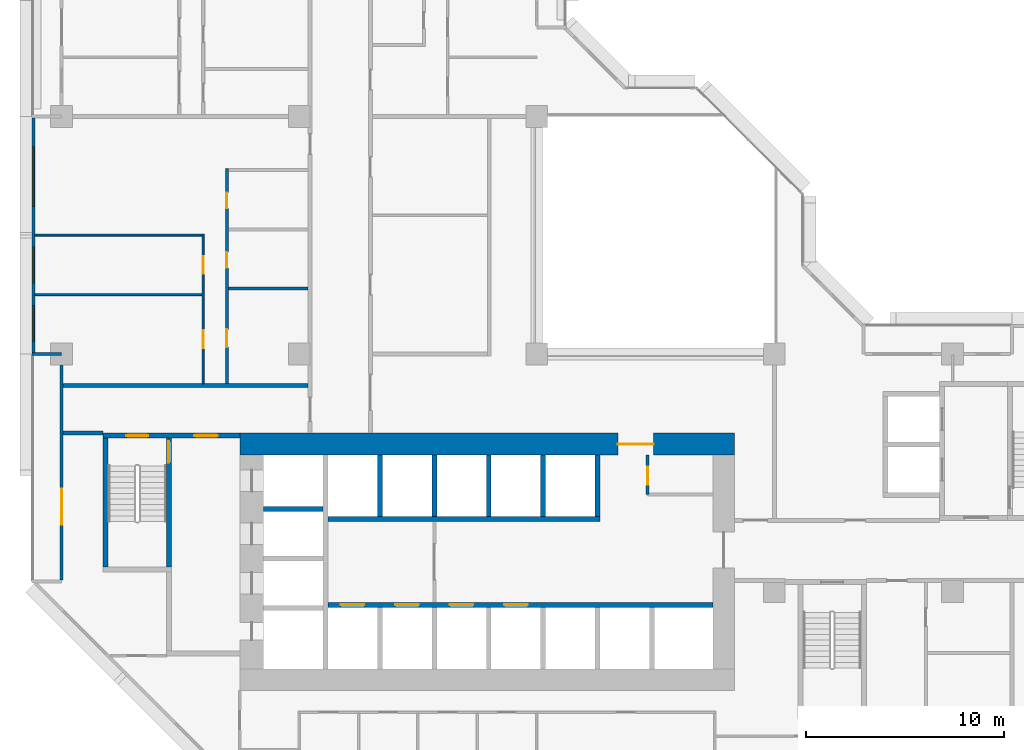
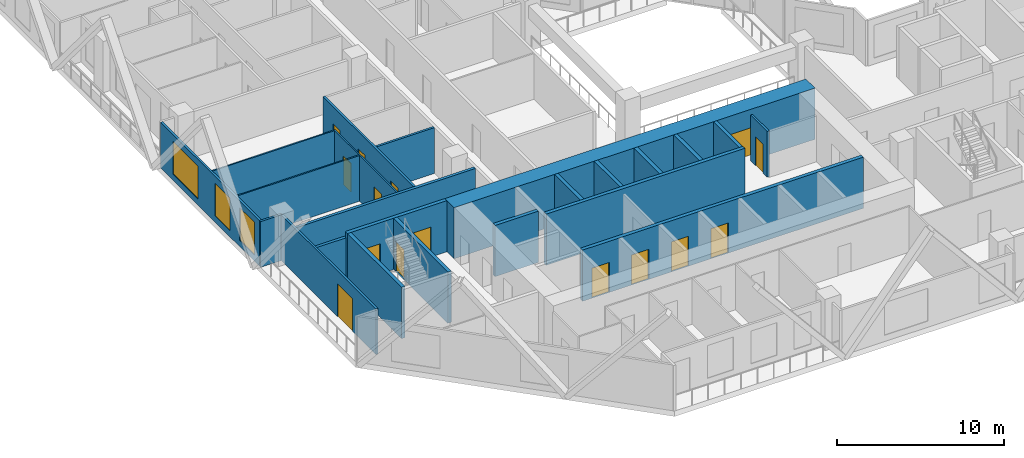
# One storey, part 5 of 15: 23 walls, 15 doors, 3 windows, 18 openings.
"""IFC4 building model written with IfcOpenShell, lengths in metres."""

from ifc_helpers import new_model, si_unit, direction, frame, frame_2d, origin, place, context, subcontext, project, spatial, rectangle, extrude, material, layer, layer_set, type_object, element, fill, save


model = new_model("IFC4")

# Units and contexts
model_context = context("Model", 3, precision=1e-05, world=origin(), true_north=direction((0.0, 1.0)))
body_context = subcontext(model_context, "Body", "Model", "MODEL_VIEW")
ifc_project = project(units=[si_unit("LENGTHUNIT", "METRE"), si_unit("AREAUNIT", "SQUARE_METRE"), si_unit("VOLUMEUNIT", "CUBIC_METRE"), si_unit("PLANEANGLEUNIT", "RADIAN"), si_unit("MASSUNIT", "GRAM", prefix="KILO")], contexts=[model_context])

# Site, building, storey
site_placement = place(None, origin())
site = spatial("IfcSite", under=ifc_project, at=site_placement, CompositionType="ELEMENT")
building_placement = place(site_placement, origin())
building = spatial("IfcBuilding", under=site, at=building_placement, Name="Chenar Terraces", CompositionType="ELEMENT")
storey_placement = place(building_placement, frame((0.0, 0.0, 56.39990234375)))
storey = spatial("IfcBuildingStorey", under=building, at=storey_placement, Name="L11", CompositionType="ELEMENT", Elevation=56.39990234375)

# Wall, opening, door
ifc_material_1 = material(Name="Gypsum board on steel studs", Category="steel")
ifc_layer_1 = layer(ifc_material_1, 0.14990234375)
ifc_layer_set_1 = layer_set([ifc_layer_1], Name="Gypsum board on steel studs")
wall_type_1 = type_object("IfcWallType", Name="Core partition 150 gypsum board", PredefinedType="PARTITIONING", material=ifc_layer_set_1)
wall_1_placement = place(storey_placement, frame((29.60009765625, 16.89990234375, 0.0), z_axis=(0.0, 0.0, 1.0), x_axis=(0.0, 1.0, 0.0)))
wall_1 = element("IfcWall", 1, at=wall_1_placement, inside=storey, type_object=wall_type_1, Name="Core partition CP1 vestibule room west wall", PredefinedType="PARTITIONING", context=body_context, shape_type="SweptSolid", body=[
    extrude(rectangle(XDim=2.0, YDim=0.14990234375, at=frame_2d((1.0, 0.0))), origin(), (0.0, 0.0, 1.0), 3.35009765625),
])
opening_1_placement = place(wall_1_placement, frame((0.5, 0.0, 0.0)))
opening_1 = element("IfcOpeningElement", 2, at=opening_1_placement, cuts=wall_1, Name="Opening DL11-C13", PredefinedType="OPENING", context=body_context, shape_type="SweptSolid", body=[
    extrude(rectangle(XDim=0.89990234375, YDim=2.10009765625, at=frame_2d((0.449951171875, 1.050048828125))), frame((0.0, 0.0849609375, 0.0), z_axis=(0.0, -1.0, 0.0), x_axis=(1.0, 0.0, 0.0)), (0.0, 0.0, 1.0), 0.169921875),
])
ifc_material_2 = material(Name="Steel-framed fire-resisting door leaf", Category="steel")
door_type_1 = type_object("IfcDoorType", Name="Riser fire door FD60 900 x 2100", OperationType="SINGLE_SWING_LEFT", PredefinedType="DOOR", material=ifc_material_2)
door_1_placement = place(opening_1_placement, frame((0.89990234375, 0.0, 0.0), z_axis=(0.0, 0.0, 1.0), x_axis=(-1.0, 0.0, 0.0)))
door_1 = element("IfcDoor", 3, at=door_1_placement, inside=storey, type_object=door_type_1, Name="Core room door DL11-C13", OperationType="SINGLE_SWING_RIGHT", OverallHeight=2.10009765625, OverallWidth=0.89990234375, PredefinedType="DOOR", context=body_context, shape_type="SweptSolid", body=[
    extrude(rectangle(XDim=0.89990234375, YDim=2.10009765625, at=frame_2d((0.449951171875, 1.050048828125))), frame((0.0, 0.02490234375, 0.0), z_axis=(0.0, -1.0, 0.0), x_axis=(1.0, 0.0, 0.0)), (0.0, 0.0, 1.0), 0.050048828125),
])
fill(opening_1, door_1)

ifc_material_3 = material(Name="Concrete C70/85", Category="concrete")
ifc_layer_2 = layer(ifc_material_3, 1.10009765625)
ifc_layer_set_2 = layer_set([ifc_layer_2], Name="Concrete C70/85")
wall_type_2 = type_object("IfcWallType", Name="Core wall 1100 Concrete C70/85", PredefinedType="SHEAR", material=ifc_layer_set_2)
wall_2_placement = place(storey_placement, frame((9.0, 19.449951171875, 0.0), z_axis=(0.0, 0.0, 1.0), x_axis=(1.0, 0.0, 0.0)))
wall_2 = element("IfcWall", 4, at=wall_2_placement, inside=storey, type_object=wall_type_2, Name="Core wall N L11", PredefinedType="SHEAR", context=body_context, shape_type="SweptSolid", body=[
    extrude(rectangle(XDim=25.0, YDim=1.10009765625, at=frame_2d((12.5, 0.0))), origin(), (0.0, 0.0, 1.0), 3.75),
])
opening_2_placement = place(wall_2_placement, frame((19.10009765625, 0.0, 0.0)))
opening_2 = element("IfcOpeningElement", 5, at=opening_2_placement, cuts=wall_2, Name="Opening DL11-C2", PredefinedType="OPENING", context=body_context, shape_type="SweptSolid", body=[
    extrude(rectangle(XDim=1.800048828125, YDim=2.39990234375, at=frame_2d((0.89990234375, 1.199951171875))), frame((0.0, 0.56005859375, 0.0), z_axis=(0.0, -1.0, 0.0), x_axis=(1.0, 0.0, 0.0)), (0.0, 0.0, 1.0), 1.1201171875),
])
ifc_material_4 = material(Name="Steel-framed fire-resisting door leaf", Category="steel")
door_type_2 = type_object("IfcDoorType", Name="Core entrance double fire door FD60 1800 x 2400", OperationType="DOUBLE_DOOR_SINGLE_SWING", PredefinedType="DOOR", material=ifc_material_4)
door_2_placement = place(opening_2_placement, origin())
door_2 = element("IfcDoor", 6, at=door_2_placement, inside=storey, type_object=door_type_2, Name="Core door DL11-C2", OperationType="DOUBLE_DOOR_SINGLE_SWING", OverallHeight=2.39990234375, OverallWidth=1.800048828125, PredefinedType="DOOR", context=body_context, shape_type="SweptSolid", body=[
    extrude(rectangle(XDim=1.800048828125, YDim=2.39990234375, at=frame_2d((0.89990234375, 1.199951171875))), frame((0.0, 0.02490234375, 0.0), z_axis=(0.0, -1.0, 0.0), x_axis=(1.0, 0.0, 0.0)), (0.0, 0.0, 1.0), 0.050048828125),
])
fill(opening_2, door_2)

# Wall, openings, doors
ifc_material_5 = material(Name="Concrete C70/85", Category="concrete")
ifc_layer_3 = layer(ifc_material_5, 0.25)
ifc_layer_set_3 = layer_set([ifc_layer_3], Name="Concrete C70/85")
wall_type_3 = type_object("IfcWallType", Name="Core wall 250 Concrete C70/85", PredefinedType="SHEAR", material=ifc_layer_set_3)
wall_3_placement = place(storey_placement, frame((13.449951171875, 11.324951171875, 0.0), z_axis=(0.0, 0.0, 1.0), x_axis=(1.0, 0.0, 0.0)))
wall_3 = element("IfcWall", 7, at=wall_3_placement, inside=storey, type_object=wall_type_3, Name="Core wall SF L11", PredefinedType="SHEAR", context=body_context, shape_type="SweptSolid", body=[
    extrude(rectangle(XDim=19.449951171875, YDim=0.25, at=frame_2d((9.72509765625, 0.0))), origin(), (0.0, 0.0, 1.0), 3.75),
])
opening_3_placement = place(wall_3_placement, frame((0.64990234375, 0.0, 0.0)))
opening_3 = element("IfcOpeningElement", 8, at=opening_3_placement, cuts=wall_3, Name="Opening DL11-LD1", PredefinedType="OPENING", context=body_context, shape_type="SweptSolid", body=[
    extrude(rectangle(XDim=1.199951171875, YDim=2.199951171875, at=frame_2d((0.60009765625, 1.10009765625))), frame((0.0, 0.135009765625, 0.0), z_axis=(0.0, -1.0, 0.0), x_axis=(1.0, 0.0, 0.0)), (0.0, 0.0, 1.0), 0.27001953125),
])
opening_4_placement = place(wall_3_placement, frame((3.39990234375, 0.0, 0.0)))
opening_4 = element("IfcOpeningElement", 9, at=opening_4_placement, cuts=wall_3, Name="Opening DL11-LD2", PredefinedType="OPENING", context=body_context, shape_type="SweptSolid", body=[
    extrude(rectangle(XDim=1.199951171875, YDim=2.199951171875, at=frame_2d((0.60009765625, 1.10009765625))), frame((0.0, 0.135009765625, 0.0), z_axis=(0.0, -1.0, 0.0), x_axis=(1.0, 0.0, 0.0)), (0.0, 0.0, 1.0), 0.27001953125),
])
opening_5_placement = place(wall_3_placement, frame((6.14990234375, 0.0, 0.0)))
opening_5 = element("IfcOpeningElement", 10, at=opening_5_placement, cuts=wall_3, Name="Opening DL11-LD3", PredefinedType="OPENING", context=body_context, shape_type="SweptSolid", body=[
    extrude(rectangle(XDim=1.199951171875, YDim=2.199951171875, at=frame_2d((0.60009765625, 1.10009765625))), frame((0.0, 0.135009765625, 0.0), z_axis=(0.0, -1.0, 0.0), x_axis=(1.0, 0.0, 0.0)), (0.0, 0.0, 1.0), 0.27001953125),
])
opening_6_placement = place(wall_3_placement, frame((8.89990234375, 0.0, 0.0)))
opening_6 = element("IfcOpeningElement", 11, at=opening_6_placement, cuts=wall_3, Name="Opening DL11-LD4", PredefinedType="OPENING", context=body_context, shape_type="SweptSolid", body=[
    extrude(rectangle(XDim=1.199951171875, YDim=2.199951171875, at=frame_2d((0.60009765625, 1.10009765625))), frame((0.0, 0.135009765625, 0.0), z_axis=(0.0, -1.0, 0.0), x_axis=(1.0, 0.0, 0.0)), (0.0, 0.0, 1.0), 0.27001953125),
])
ifc_material_6 = material(Name="Stainless steel", Category="steel")
door_type_3 = type_object("IfcDoorType", Name="Lift landing door 1200 x 2200 sliding", OperationType="DOUBLE_DOOR_SLIDING", PredefinedType="DOOR", material=ifc_material_6)
door_3_placement = place(opening_3_placement, origin())
door_3 = element("IfcDoor", 12, at=door_3_placement, inside=storey, type_object=door_type_3, Name="Landing door L1", OperationType="DOUBLE_DOOR_SLIDING", OverallHeight=2.199951171875, OverallWidth=1.199951171875, PredefinedType="DOOR", context=body_context, shape_type="SweptSolid", body=[
    extrude(rectangle(XDim=1.199951171875, YDim=2.199951171875, at=frame_2d((0.60009765625, 1.10009765625))), frame((0.0, 0.02490234375, 0.0), z_axis=(0.0, -1.0, 0.0), x_axis=(1.0, 0.0, 0.0)), (0.0, 0.0, 1.0), 0.050048828125),
])
fill(opening_3, door_3)
door_4_placement = place(opening_4_placement, origin())
door_4 = element("IfcDoor", 13, at=door_4_placement, inside=storey, type_object=door_type_3, Name="Landing door L2", OperationType="DOUBLE_DOOR_SLIDING", OverallHeight=2.199951171875, OverallWidth=1.199951171875, PredefinedType="DOOR", context=body_context, shape_type="SweptSolid", body=[
    extrude(rectangle(XDim=1.199951171875, YDim=2.199951171875, at=frame_2d((0.60009765625, 1.10009765625))), frame((0.0, 0.02490234375, 0.0), z_axis=(0.0, -1.0, 0.0), x_axis=(1.0, 0.0, 0.0)), (0.0, 0.0, 1.0), 0.050048828125),
])
fill(opening_4, door_4)
door_5_placement = place(opening_5_placement, origin())
door_5 = element("IfcDoor", 14, at=door_5_placement, inside=storey, type_object=door_type_3, Name="Landing door L3", OperationType="DOUBLE_DOOR_SLIDING", OverallHeight=2.199951171875, OverallWidth=1.199951171875, PredefinedType="DOOR", context=body_context, shape_type="SweptSolid", body=[
    extrude(rectangle(XDim=1.199951171875, YDim=2.199951171875, at=frame_2d((0.60009765625, 1.10009765625))), frame((0.0, 0.02490234375, 0.0), z_axis=(0.0, -1.0, 0.0), x_axis=(1.0, 0.0, 0.0)), (0.0, 0.0, 1.0), 0.050048828125),
])
fill(opening_5, door_5)
door_6_placement = place(opening_6_placement, origin())
door_6 = element("IfcDoor", 15, at=door_6_placement, inside=storey, type_object=door_type_3, Name="Landing door L4", OperationType="DOUBLE_DOOR_SLIDING", OverallHeight=2.199951171875, OverallWidth=1.199951171875, PredefinedType="DOOR", context=body_context, shape_type="SweptSolid", body=[
    extrude(rectangle(XDim=1.199951171875, YDim=2.199951171875, at=frame_2d((0.60009765625, 1.10009765625))), frame((0.0, 0.02490234375, 0.0), z_axis=(0.0, -1.0, 0.0), x_axis=(1.0, 0.0, 0.0)), (0.0, 0.0, 1.0), 0.050048828125),
])
fill(opening_6, door_6)

# Walls
wall_4_placement = place(storey_placement, frame((13.449951171875, 15.675048828125, 0.0), z_axis=(0.0, 0.0, 1.0), x_axis=(1.0, 0.0, 0.0)))
element("IfcWall", 16, at=wall_4_placement, inside=storey, type_object=wall_type_3, Name="Core wall NF L11", PredefinedType="SHEAR", context=body_context, shape_type="SweptSolid", body=[
    extrude(rectangle(XDim=13.75, YDim=0.25, at=frame_2d((6.875, 0.0))), origin(), (0.0, 0.0, 1.0), 3.75),
])
wall_5_placement = place(storey_placement, frame((10.199951171875, 16.175048828125, 0.0), z_axis=(0.0, 0.0, 1.0), x_axis=(1.0, 0.0, 0.0)))
element("IfcWall", 17, at=wall_5_placement, inside=storey, type_object=wall_type_3, Name="Core wall HW2 L11", PredefinedType="SHEAR", context=body_context, shape_type="SweptSolid", body=[
    extrude(rectangle(XDim=3.0, YDim=0.25, at=frame_2d((1.5, 0.0))), origin(), (0.0, 0.0, 1.0), 3.75),
])
for number, where, z_axis, x_axis, name in (
    (18, (16.074951171875, 15.800048828125, 0.0), (0.0, 0.0, 1.0), (0.0, 1.0, 0.0), "Core wall NS0 L11"),
    (19, (18.824951171875, 15.800048828125, 0.0), (0.0, 0.0, 1.0), (0.0, 1.0, 0.0), "Core wall NS1 L11"),
    (20, (21.574951171875, 15.800048828125, 0.0), (0.0, 0.0, 1.0), (0.0, 1.0, 0.0), "Core wall NS2 L11"),
    (21, (24.324951171875, 15.800048828125, 0.0), (0.0, 0.0, 1.0), (0.0, 1.0, 0.0), "Core wall NS3 L11"),
    (22, (27.074951171875, 15.800048828125, 0.0), (0.0, 0.0, 1.0), (0.0, 1.0, 0.0), "Core wall NE L11"),
):
    element("IfcWall", number, at=place(storey_placement, frame(where, z_axis=z_axis, x_axis=x_axis)), inside=storey, type_object=wall_type_3, Name=name, PredefinedType="SHEAR", context=body_context, shape_type="SweptSolid", body=[
        extrude(rectangle(XDim=3.099853515625, YDim=0.25, at=frame_2d((1.5498046875, 0.0))), origin(), (0.0, 0.0, 1.0), 3.75),
    ])

# Wall, openings, doors
wall_6_placement = place(storey_placement, frame((2.10009765625, 19.875, 0.0), z_axis=(0.0, 0.0, 1.0), x_axis=(1.0, 0.0, 0.0)))
wall_6 = element("IfcWall", 23, at=wall_6_placement, inside=storey, type_object=wall_type_3, Name="Core wall A_N L11", PredefinedType="SHEAR", context=body_context, shape_type="SweptSolid", body=[
    extrude(rectangle(XDim=6.89990234375, YDim=0.25, at=frame_2d((3.449951171875, 0.0))), origin(), (0.0, 0.0, 1.0), 3.75),
])
opening_7_placement = place(wall_6_placement, frame((1.175048828125, 0.0, 0.0)))
opening_7 = element("IfcOpeningElement", 24, at=opening_7_placement, cuts=wall_6, Name="Opening DL11-C5", PredefinedType="OPENING", context=body_context, shape_type="SweptSolid", body=[
    extrude(rectangle(XDim=1.10009765625, YDim=2.199951171875, at=frame_2d((0.550048828125, 1.10009765625))), frame((0.0, 0.135009765625, 0.0), z_axis=(0.0, -1.0, 0.0), x_axis=(1.0, 0.0, 0.0)), (0.0, 0.0, 1.0), 0.27001953125),
])
opening_8_placement = place(wall_6_placement, frame((4.60009765625, 0.0, 0.0)))
opening_8 = element("IfcOpeningElement", 25, at=opening_8_placement, cuts=wall_6, Name="Opening DL11-C6", PredefinedType="OPENING", context=body_context, shape_type="SweptSolid", body=[
    extrude(rectangle(XDim=1.199951171875, YDim=2.199951171875, at=frame_2d((0.60009765625, 1.10009765625))), frame((0.0, 0.135009765625, 0.0), z_axis=(0.0, -1.0, 0.0), x_axis=(1.0, 0.0, 0.0)), (0.0, 0.0, 1.0), 0.27001953125),
])
ifc_material_7 = material(Name="Steel-framed fire-resisting door leaf", Category="steel")
door_type_4 = type_object("IfcDoorType", Name="Lobby fire door FD60 1200 x 2200", OperationType="SINGLE_SWING_LEFT", PredefinedType="DOOR", material=ifc_material_7)
door_7_placement = place(opening_8_placement, frame((1.199951171875, 0.0, 0.0), z_axis=(0.0, 0.0, 1.0), x_axis=(-1.0, 0.0, 0.0)))
door_7 = element("IfcDoor", 26, at=door_7_placement, inside=storey, type_object=door_type_4, Name="Core door DL11-C6", OperationType="SINGLE_SWING_LEFT", OverallHeight=2.199951171875, OverallWidth=1.199951171875, PredefinedType="DOOR", context=body_context, shape_type="SweptSolid", body=[
    extrude(rectangle(XDim=1.199951171875, YDim=2.199951171875, at=frame_2d((0.60009765625, 1.10009765625))), frame((0.0, 0.02490234375, 0.0), z_axis=(0.0, -1.0, 0.0), x_axis=(1.0, 0.0, 0.0)), (0.0, 0.0, 1.0), 0.050048828125),
])
fill(opening_8, door_7)
ifc_material_8 = material(Name="Steel-framed fire-resisting door leaf", Category="steel")
door_type_5 = type_object("IfcDoorType", Name="Stair fire door FD60 1100 x 2200", OperationType="SINGLE_SWING_LEFT", PredefinedType="DOOR", material=ifc_material_8)
door_8_placement = place(opening_7_placement, origin())
door_8 = element("IfcDoor", 27, at=door_8_placement, inside=storey, type_object=door_type_5, Name="Stair door DL11-C5", OperationType="SINGLE_SWING_LEFT", OverallHeight=2.199951171875, OverallWidth=1.10009765625, PredefinedType="DOOR", context=body_context, shape_type="SweptSolid", body=[
    extrude(rectangle(XDim=1.10009765625, YDim=2.199951171875, at=frame_2d((0.550048828125, 1.10009765625))), frame((0.0, 0.02490234375, 0.0), z_axis=(0.0, -1.0, 0.0), x_axis=(1.0, 0.0, 0.0)), (0.0, 0.0, 1.0), 0.050048828125),
])
fill(opening_7, door_8)

# Wall
wall_7_placement = place(storey_placement, frame((2.22509765625, 13.25, 0.0), z_axis=(0.0, 0.0, 1.0), x_axis=(0.0, 1.0, 0.0)))
element("IfcWall", 28, at=wall_7_placement, inside=storey, type_object=wall_type_3, Name="Core wall ST1_W L11", PredefinedType="SHEAR", context=body_context, shape_type="SweptSolid", body=[
    extrude(rectangle(XDim=6.5, YDim=0.25, at=frame_2d((3.25, 0.0))), origin(), (0.0, 0.0, 1.0), 3.75),
])

# Wall, opening, door
wall_8_placement = place(storey_placement, frame((5.425048828125, 13.25, 0.0), z_axis=(0.0, 0.0, 1.0), x_axis=(0.0, 1.0, 0.0)))
wall_8 = element("IfcWall", 29, at=wall_8_placement, inside=storey, type_object=wall_type_3, Name="Core wall ST1_E L11", PredefinedType="SHEAR", context=body_context, shape_type="SweptSolid", body=[
    extrude(rectangle(XDim=6.5, YDim=0.25, at=frame_2d((3.25, 0.0))), origin(), (0.0, 0.0, 1.0), 3.75),
])
opening_9_placement = place(wall_8_placement, frame((5.25, 0.0, 0.0)))
opening_9 = element("IfcOpeningElement", 30, at=opening_9_placement, cuts=wall_8, Name="Opening DL11-C3", PredefinedType="OPENING", context=body_context, shape_type="SweptSolid", body=[
    extrude(rectangle(XDim=1.10009765625, YDim=2.199951171875, at=frame_2d((0.550048828125, 1.10009765625))), frame((0.0, 0.135009765625, 0.0), z_axis=(0.0, -1.0, 0.0), x_axis=(1.0, 0.0, 0.0)), (0.0, 0.0, 1.0), 0.27001953125),
])
door_9_placement = place(opening_9_placement, origin())
door_9 = element("IfcDoor", 31, at=door_9_placement, inside=storey, type_object=door_type_5, Name="Stair door DL11-C3", OperationType="SINGLE_SWING_RIGHT", OverallHeight=2.199951171875, OverallWidth=1.10009765625, PredefinedType="DOOR", context=body_context, shape_type="SweptSolid", body=[
    extrude(rectangle(XDim=1.10009765625, YDim=2.199951171875, at=frame_2d((0.550048828125, 1.10009765625))), frame((0.0, 0.02490234375, 0.0), z_axis=(0.0, -1.0, 0.0), x_axis=(1.0, 0.0, 0.0)), (0.0, 0.0, 1.0), 0.050048828125),
])
fill(opening_9, door_9)

# Walls
ifc_material_9 = material(Name="Gypsum board on steel studs with fire boards", Category="steel")
ifc_layer_4 = layer(ifc_material_9, 0.199951171875)
ifc_layer_set_4 = layer_set([ifc_layer_4], Name="Gypsum board on steel studs with fire boards")
wall_type_4 = type_object("IfcWallType", Name="Corridor wall 200", PredefinedType="PARTITIONING", material=ifc_layer_set_4)
wall_9_placement = place(storey_placement, frame((0.073974609375, 20.0, 0.0), z_axis=(0.0, 0.0, 1.0), x_axis=(1.0, 0.0, 0.0)))
element("IfcWall", 32, at=wall_9_placement, inside=storey, type_object=wall_type_4, Name="Partition L11-009", PredefinedType="PARTITIONING", context=body_context, shape_type="SweptSolid", body=[
    extrude(rectangle(XDim=2.026123046875, YDim=0.199951171875, at=frame_2d((1.01318359375, 0.0))), origin(), (0.0, 0.0, 1.0), 3.35009765625),
])
wall_10_placement = place(storey_placement, frame((0.073974609375, 22.39990234375, 0.0), z_axis=(0.0, 0.0, 1.0), x_axis=(1.0, 0.0, 0.0)))
element("IfcWall", 33, at=wall_10_placement, inside=storey, type_object=wall_type_4, Name="Partition L11-010", PredefinedType="PARTITIONING", context=body_context, shape_type="SweptSolid", body=[
    extrude(rectangle(XDim=12.3759765625, YDim=0.199951171875, at=frame_2d((6.18798828125, 0.0))), origin(), (0.0, 0.0, 1.0), 3.35009765625),
])

# Wall, openings, windows
ifc_material_10 = material(Name="Aluminium framed glazing", Category="aluminium")
ifc_layer_5 = layer(ifc_material_10, 0.14990234375)
ifc_layer_set_5 = layer_set([ifc_layer_5], Name="Aluminium framed glazing")
wall_type_5 = type_object("IfcWallType", Name="Glazed flush facade wall 150", PredefinedType="SOLIDWALL", material=ifc_layer_set_5)
wall_11_placement = place(storey_placement, frame((-1.425048828125, 35.925048828125, 0.0), z_axis=(0.0, 0.0, 1.0), x_axis=(0.0, -1.0, 0.0)))
wall_11 = element("IfcWall", 34, at=wall_11_placement, inside=storey, type_object=wall_type_5, Name="Glazed flush facade wall", PredefinedType="SOLIDWALL", context=body_context, shape_type="SweptSolid", body=[
    extrude(rectangle(XDim=11.85009765625, YDim=0.14990234375, at=frame_2d((5.925048828125, 0.0))), origin(), (0.0, 0.0, 1.0), 3.35009765625),
])
opening_10_placement = place(wall_11_placement, frame((1.46240234375, 0.0, 0.449951171875)))
opening_10 = element("IfcOpeningElement", 35, at=opening_10_placement, cuts=wall_11, Name="Opening W300x240", PredefinedType="OPENING", context=body_context, shape_type="SweptSolid", body=[
    extrude(rectangle(XDim=3.0, YDim=2.39990234375, at=frame_2d((1.5, 1.199951171875))), frame((0.0, 0.0849609375, 0.0), z_axis=(0.0, -1.0, 0.0), x_axis=(1.0, 0.0, 0.0)), (0.0, 0.0, 1.0), 0.169921875),
])
opening_11_placement = place(wall_11_placement, frame((6.52490234375, 0.0, 0.449951171875)))
opening_11 = element("IfcOpeningElement", 36, at=opening_11_placement, cuts=wall_11, Name="Opening W180x240", PredefinedType="OPENING", context=body_context, shape_type="SweptSolid", body=[
    extrude(rectangle(XDim=1.800048828125, YDim=2.39990234375, at=frame_2d((0.89990234375, 1.199951171875))), frame((0.0, 0.0849609375, 0.0), z_axis=(0.0, -1.0, 0.0), x_axis=(1.0, 0.0, 0.0)), (0.0, 0.0, 1.0), 0.169921875),
])
opening_12_placement = place(wall_11_placement, frame((9.487548828125, 0.0, 0.449951171875)))
opening_12 = element("IfcOpeningElement", 37, at=opening_12_placement, cuts=wall_11, Name="Opening W180x240", PredefinedType="OPENING", context=body_context, shape_type="SweptSolid", body=[
    extrude(rectangle(XDim=1.800048828125, YDim=2.39990234375, at=frame_2d((0.89990234375, 1.199951171875))), frame((0.0, 0.0849609375, 0.0), z_axis=(0.0, -1.0, 0.0), x_axis=(1.0, 0.0, 0.0)), (0.0, 0.0, 1.0), 0.169921875),
])
ifc_material_11 = material(Name="Low emissivity double glazing, aluminium frame", Category="aluminium")
window_type_1 = type_object("IfcWindowType", Name="Fixed light 1800 x 2400", PartitioningType="SINGLE_PANEL", PredefinedType="WINDOW", material=ifc_material_11)
window_1_placement = place(opening_11_placement, origin())
window_1 = element("IfcWindow", 38, at=window_1_placement, inside=storey, type_object=window_type_1, Name="Window", OverallHeight=2.39990234375, OverallWidth=1.800048828125, PartitioningType="SINGLE_PANEL", PredefinedType="WINDOW", context=body_context, shape_type="SweptSolid", body=[
    extrude(rectangle(XDim=1.800048828125, YDim=2.39990234375, at=frame_2d((0.89990234375, 1.199951171875))), frame((0.0, 0.030029296875, 0.0), z_axis=(0.0, -1.0, 0.0), x_axis=(1.0, 0.0, 0.0)), (0.0, 0.0, 1.0), 0.06005859375),
])
fill(opening_11, window_1)
window_2_placement = place(opening_12_placement, origin())
window_2 = element("IfcWindow", 39, at=window_2_placement, inside=storey, type_object=window_type_1, Name="Window", OverallHeight=2.39990234375, OverallWidth=1.800048828125, PartitioningType="SINGLE_PANEL", PredefinedType="WINDOW", context=body_context, shape_type="SweptSolid", body=[
    extrude(rectangle(XDim=1.800048828125, YDim=2.39990234375, at=frame_2d((0.89990234375, 1.199951171875))), frame((0.0, 0.030029296875, 0.0), z_axis=(0.0, -1.0, 0.0), x_axis=(1.0, 0.0, 0.0)), (0.0, 0.0, 1.0), 0.06005859375),
])
fill(opening_12, window_2)
ifc_material_12 = material(Name="Low emissivity double glazing, aluminium frame", Category="aluminium")
window_type_2 = type_object("IfcWindowType", Name="Fixed light 3000 x 2400", PartitioningType="SINGLE_PANEL", PredefinedType="WINDOW", material=ifc_material_12)
window_3_placement = place(opening_10_placement, origin())
window_3 = element("IfcWindow", 40, at=window_3_placement, inside=storey, type_object=window_type_2, Name="Window", OverallHeight=2.39990234375, OverallWidth=3.0, PartitioningType="SINGLE_PANEL", PredefinedType="WINDOW", context=body_context, shape_type="SweptSolid", body=[
    extrude(rectangle(XDim=3.0, YDim=2.39990234375, at=frame_2d((1.5, 1.199951171875))), frame((0.0, 0.030029296875, 0.0), z_axis=(0.0, -1.0, 0.0), x_axis=(1.0, 0.0, 0.0)), (0.0, 0.0, 1.0), 0.06005859375),
])
fill(opening_10, window_3)

# Wall, opening, door
ifc_material_13 = material(Name="Aluminium framed glazing", Category="aluminium")
ifc_layer_6 = layer(ifc_material_13, 0.14990234375)
ifc_layer_set_6 = layer_set([ifc_layer_6], Name="Aluminium framed glazing")
wall_type_6 = type_object("IfcWallType", Name="Glazed loggia back wall 150", PredefinedType="SOLIDWALL", material=ifc_layer_set_6)
wall_12_placement = place(storey_placement, frame((0.0, 23.925048828125, 0.0), z_axis=(0.0, 0.0, 1.0), x_axis=(0.0, -1.0, 0.0)))
wall_12 = element("IfcWall", 41, at=wall_12_placement, inside=storey, type_object=wall_type_6, Name="Glazed loggia back wall", PredefinedType="SOLIDWALL", context=body_context, shape_type="SweptSolid", body=[
    extrude(rectangle(XDim=11.35009765625, YDim=0.14990234375, at=frame_2d((5.675048828125, 0.0))), origin(), (0.0, 0.0, 1.0), 3.35009765625),
])
opening_13_placement = place(wall_12_placement, frame((6.737548828125, 0.0, 0.0)))
opening_13 = element("IfcOpeningElement", 42, at=opening_13_placement, cuts=wall_12, Name="Opening DL11-G4", PredefinedType="OPENING", context=body_context, shape_type="SweptSolid", body=[
    extrude(rectangle(XDim=1.800048828125, YDim=2.39990234375, at=frame_2d((0.89990234375, 1.199951171875))), frame((0.0, 0.0849609375, 0.0), z_axis=(0.0, -1.0, 0.0), x_axis=(1.0, 0.0, 0.0)), (0.0, 0.0, 1.0), 0.169921875),
])
ifc_material_14 = material(Name="Low emissivity double glazing, aluminium frame", Category="aluminium")
door_type_6 = type_object("IfcDoorType", Name="Loggia glazed double door 1800 x 2400", OperationType="DOUBLE_DOOR_SINGLE_SWING", PredefinedType="DOOR", material=ifc_material_14)
door_10_placement = place(opening_13_placement, frame((1.800048828125, 0.0, 0.0), z_axis=(0.0, 0.0, 1.0), x_axis=(-1.0, 0.0, 0.0)))
door_10 = element("IfcDoor", 43, at=door_10_placement, inside=storey, type_object=door_type_6, Name="Loggia glazed door", OperationType="DOUBLE_DOOR_SINGLE_SWING", OverallHeight=2.39990234375, OverallWidth=1.800048828125, PredefinedType="DOOR", context=body_context, shape_type="SweptSolid", body=[
    extrude(rectangle(XDim=1.800048828125, YDim=2.39990234375, at=frame_2d((0.89990234375, 1.199951171875))), frame((0.0, 0.02490234375, 0.0), z_axis=(0.0, -1.0, 0.0), x_axis=(1.0, 0.0, 0.0)), (0.0, 0.0, 1.0), 0.050048828125),
])
fill(opening_13, door_10)

# Walls
ifc_material_15 = material(Name="Gypsum board on steel studs", Category="steel")
ifc_layer_7 = layer(ifc_material_15, 0.10009765625)
ifc_layer_set_7 = layer_set([ifc_layer_7], Name="Gypsum board on steel studs")
wall_type_7 = type_object("IfcWallType", Name="Gypsum partition 100", PredefinedType="PARTITIONING", material=ifc_layer_set_7)
wall_13_placement = place(storey_placement, frame((-1.35107421875, 27.0, 0.0), z_axis=(0.0, 0.0, 1.0), x_axis=(1.0, 0.0, 0.0)))
element("IfcWall", 44, at=wall_13_placement, inside=storey, type_object=wall_type_7, Name="Partition L11-001", PredefinedType="PARTITIONING", context=body_context, shape_type="SweptSolid", body=[
    extrude(rectangle(XDim=8.451171875, YDim=0.10009765625, at=frame_2d((4.2255859375, 0.0))), origin(), (0.0, 0.0, 1.0), 3.35009765625),
])
wall_14_placement = place(storey_placement, frame((-1.35009765625, 30.0, 0.0), z_axis=(0.0, 0.0, 1.0), x_axis=(1.0, 0.0, 0.0)))
element("IfcWall", 45, at=wall_14_placement, inside=storey, type_object=wall_type_7, Name="Partition L11-004", PredefinedType="PARTITIONING", context=body_context, shape_type="SweptSolid", body=[
    extrude(rectangle(XDim=8.4501953125, YDim=0.10009765625, at=frame_2d((4.22509765625, 0.0))), origin(), (0.0, 0.0, 1.0), 3.35009765625),
])

# Wall, openings, doors
wall_15_placement = place(storey_placement, frame((7.14990234375, 22.5, 0.0), z_axis=(0.0, 0.0, 1.0), x_axis=(0.0, 1.0, 0.0)))
wall_15 = element("IfcWall", 46, at=wall_15_placement, inside=storey, type_object=wall_type_7, Name="Partition L11-018", PredefinedType="PARTITIONING", context=body_context, shape_type="SweptSolid", body=[
    extrude(rectangle(XDim=7.550048828125, YDim=0.10009765625, at=frame_2d((3.77490234375, 0.0))), origin(), (0.0, 0.0, 1.0), 3.35009765625),
])
opening_14_placement = place(wall_15_placement, frame((1.800048828125, 0.0, 0.0)))
opening_14 = element("IfcOpeningElement", 47, at=opening_14_placement, cuts=wall_15, Name="Opening DL11-69", PredefinedType="OPENING", context=body_context, shape_type="SweptSolid", body=[
    extrude(rectangle(XDim=0.89990234375, YDim=2.10009765625, at=frame_2d((0.449951171875, 1.050048828125))), frame((0.0, 0.06005859375, 0.0), z_axis=(0.0, -1.0, 0.0), x_axis=(1.0, 0.0, 0.0)), (0.0, 0.0, 1.0), 0.1201171875),
])
opening_15_placement = place(wall_15_placement, frame((5.550048828125, 0.0, 0.0)))
opening_15 = element("IfcOpeningElement", 48, at=opening_15_placement, cuts=wall_15, Name="Opening DL11-70", PredefinedType="OPENING", context=body_context, shape_type="SweptSolid", body=[
    extrude(rectangle(XDim=0.89990234375, YDim=2.10009765625, at=frame_2d((0.449951171875, 1.050048828125))), frame((0.0, 0.06005859375, 0.0), z_axis=(0.0, -1.0, 0.0), x_axis=(1.0, 0.0, 0.0)), (0.0, 0.0, 1.0), 0.1201171875),
])
ifc_material_16 = material(Name="Veneered timber door leaf", Category="wood")
door_type_7 = type_object("IfcDoorType", Name="Door 900 x 2100", OperationType="SINGLE_SWING_LEFT", PredefinedType="DOOR", material=ifc_material_16)
door_11_placement = place(opening_14_placement, origin())
door_11 = element("IfcDoor", 49, at=door_11_placement, inside=storey, type_object=door_type_7, Name="Door DL11-69", OperationType="SINGLE_SWING_RIGHT", OverallHeight=2.10009765625, OverallWidth=0.89990234375, PredefinedType="DOOR", context=body_context, shape_type="SweptSolid", body=[
    extrude(rectangle(XDim=0.89990234375, YDim=2.10009765625, at=frame_2d((0.449951171875, 1.050048828125))), frame((0.0, 0.02490234375, 0.0), z_axis=(0.0, -1.0, 0.0), x_axis=(1.0, 0.0, 0.0)), (0.0, 0.0, 1.0), 0.050048828125),
])
fill(opening_14, door_11)
door_12_placement = place(opening_15_placement, origin())
door_12 = element("IfcDoor", 50, at=door_12_placement, inside=storey, type_object=door_type_7, Name="Door DL11-70", OperationType="SINGLE_SWING_RIGHT", OverallHeight=2.10009765625, OverallWidth=0.89990234375, PredefinedType="DOOR", context=body_context, shape_type="SweptSolid", body=[
    extrude(rectangle(XDim=0.89990234375, YDim=2.10009765625, at=frame_2d((0.449951171875, 1.050048828125))), frame((0.0, 0.02490234375, 0.0), z_axis=(0.0, -1.0, 0.0), x_axis=(1.0, 0.0, 0.0)), (0.0, 0.0, 1.0), 0.050048828125),
])
fill(opening_15, door_12)

# Wall
ifc_material_17 = material(Name="Terracotta cladding on insulated backing", Category="masonry")
ifc_layer_8 = layer(ifc_material_17, 0.14990234375)
ifc_layer_set_8 = layer_set([ifc_layer_8], Name="Terracotta cladding on insulated backing")
wall_type_8 = type_object("IfcWallType", Name="Loggia return wall 150", PredefinedType="SOLIDWALL", material=ifc_layer_set_8)
wall_16_placement = place(storey_placement, frame((-1.5, 24.0, 0.0), z_axis=(0.0, 0.0, 1.0), x_axis=(1.0, 0.0, 0.0)))
element("IfcWall", 51, at=wall_16_placement, inside=storey, type_object=wall_type_8, Name="Loggia return wall", PredefinedType="SOLIDWALL", context=body_context, shape_type="SweptSolid", body=[
    extrude(rectangle(XDim=1.5, YDim=0.14990234375, at=frame_2d((0.75, 0.0))), origin(), (0.0, 0.0, 1.0), 3.35009765625),
])

# Wall, openings, doors
ifc_material_18 = material(Name="Moisture-resistant gypsum board on steel studs", Category="steel")
ifc_layer_9 = layer(ifc_material_18, 0.14990234375)
ifc_layer_set_9 = layer_set([ifc_layer_9], Name="Moisture-resistant gypsum board on steel studs")
wall_type_9 = type_object("IfcWallType", Name="Wet-room partition 150", PredefinedType="PARTITIONING", material=ifc_layer_set_9)
wall_17_placement = place(storey_placement, frame((8.35009765625, 22.5, 0.0), z_axis=(0.0, 0.0, 1.0), x_axis=(0.0, 1.0, 0.0)))
wall_17 = element("IfcWall", 52, at=wall_17_placement, inside=storey, type_object=wall_type_9, Name="Partition L11-027", PredefinedType="PARTITIONING", context=body_context, shape_type="SweptSolid", body=[
    extrude(rectangle(XDim=10.875, YDim=0.14990234375, at=frame_2d((5.4375, 0.0))), origin(), (0.0, 0.0, 1.0), 3.35009765625),
])
opening_16_placement = place(wall_17_placement, frame((8.85009765625, 0.0, 0.0)))
opening_16 = element("IfcOpeningElement", 53, at=opening_16_placement, cuts=wall_17, Name="Opening DL11-68", PredefinedType="OPENING", context=body_context, shape_type="SweptSolid", body=[
    extrude(rectangle(XDim=0.800048828125, YDim=2.10009765625, at=frame_2d((0.39990234375, 1.050048828125))), frame((0.0, 0.0849609375, 0.0), z_axis=(0.0, -1.0, 0.0), x_axis=(1.0, 0.0, 0.0)), (0.0, 0.0, 1.0), 0.169921875),
])
opening_17_placement = place(wall_17_placement, frame((1.85009765625, 0.0, 0.0)))
opening_17 = element("IfcOpeningElement", 54, at=opening_17_placement, cuts=wall_17, Name="Opening DL11-71", PredefinedType="OPENING", context=body_context, shape_type="SweptSolid", body=[
    extrude(rectangle(XDim=0.89990234375, YDim=2.10009765625, at=frame_2d((0.449951171875, 1.050048828125))), frame((0.0, 0.0849609375, 0.0), z_axis=(0.0, -1.0, 0.0), x_axis=(1.0, 0.0, 0.0)), (0.0, 0.0, 1.0), 0.169921875),
])
opening_18_placement = place(wall_17_placement, frame((5.85009765625, 0.0, 0.0)))
opening_18 = element("IfcOpeningElement", 55, at=opening_18_placement, cuts=wall_17, Name="Opening DL11-72", PredefinedType="OPENING", context=body_context, shape_type="SweptSolid", body=[
    extrude(rectangle(XDim=0.800048828125, YDim=2.10009765625, at=frame_2d((0.39990234375, 1.050048828125))), frame((0.0, 0.0849609375, 0.0), z_axis=(0.0, -1.0, 0.0), x_axis=(1.0, 0.0, 0.0)), (0.0, 0.0, 1.0), 0.169921875),
])
ifc_material_19 = material(Name="Veneered timber door leaf", Category="wood")
door_type_8 = type_object("IfcDoorType", Name="Door 800 x 2100", OperationType="SINGLE_SWING_LEFT", PredefinedType="DOOR", material=ifc_material_19)
door_13_placement = place(opening_16_placement, frame((0.800048828125, 0.0, 0.0), z_axis=(0.0, 0.0, 1.0), x_axis=(-1.0, 0.0, 0.0)))
door_13 = element("IfcDoor", 56, at=door_13_placement, inside=storey, type_object=door_type_8, Name="Door DL11-68", OperationType="SINGLE_SWING_RIGHT", OverallHeight=2.10009765625, OverallWidth=0.800048828125, PredefinedType="DOOR", context=body_context, shape_type="SweptSolid", body=[
    extrude(rectangle(XDim=0.800048828125, YDim=2.10009765625, at=frame_2d((0.39990234375, 1.050048828125))), frame((0.0, 0.02490234375, 0.0), z_axis=(0.0, -1.0, 0.0), x_axis=(1.0, 0.0, 0.0)), (0.0, 0.0, 1.0), 0.050048828125),
])
fill(opening_16, door_13)
door_14_placement = place(opening_18_placement, frame((0.800048828125, 0.0, 0.0), z_axis=(0.0, 0.0, 1.0), x_axis=(-1.0, 0.0, 0.0)))
door_14 = element("IfcDoor", 57, at=door_14_placement, inside=storey, type_object=door_type_8, Name="Door DL11-72", OperationType="SINGLE_SWING_RIGHT", OverallHeight=2.10009765625, OverallWidth=0.800048828125, PredefinedType="DOOR", context=body_context, shape_type="SweptSolid", body=[
    extrude(rectangle(XDim=0.800048828125, YDim=2.10009765625, at=frame_2d((0.39990234375, 1.050048828125))), frame((0.0, 0.02490234375, 0.0), z_axis=(0.0, -1.0, 0.0), x_axis=(1.0, 0.0, 0.0)), (0.0, 0.0, 1.0), 0.050048828125),
])
fill(opening_18, door_14)
door_15_placement = place(opening_17_placement, frame((0.89990234375, 0.0, 0.0), z_axis=(0.0, 0.0, 1.0), x_axis=(-1.0, 0.0, 0.0)))
door_15 = element("IfcDoor", 58, at=door_15_placement, inside=storey, type_object=door_type_7, Name="Door DL11-71", OperationType="SINGLE_SWING_LEFT", OverallHeight=2.10009765625, OverallWidth=0.89990234375, PredefinedType="DOOR", context=body_context, shape_type="SweptSolid", body=[
    extrude(rectangle(XDim=0.89990234375, YDim=2.10009765625, at=frame_2d((0.449951171875, 1.050048828125))), frame((0.0, 0.02490234375, 0.0), z_axis=(0.0, -1.0, 0.0), x_axis=(1.0, 0.0, 0.0)), (0.0, 0.0, 1.0), 0.050048828125),
])
fill(opening_17, door_15)

# Wall
wall_18_placement = place(storey_placement, frame((8.425048828125, 27.300048828125, 0.0), z_axis=(0.0, 0.0, 1.0), x_axis=(1.0, 0.0, 0.0)))
element("IfcWall", 59, at=wall_18_placement, inside=storey, type_object=wall_type_9, Name="Partition L11-028", PredefinedType="PARTITIONING", context=body_context, shape_type="SweptSolid", body=[
    extrude(rectangle(XDim=4.02490234375, YDim=0.14990234375, at=frame_2d((2.012451171875, 0.0))), origin(), (0.0, 0.0, 1.0), 3.35009765625),
])

save(model, "model.ifc")
